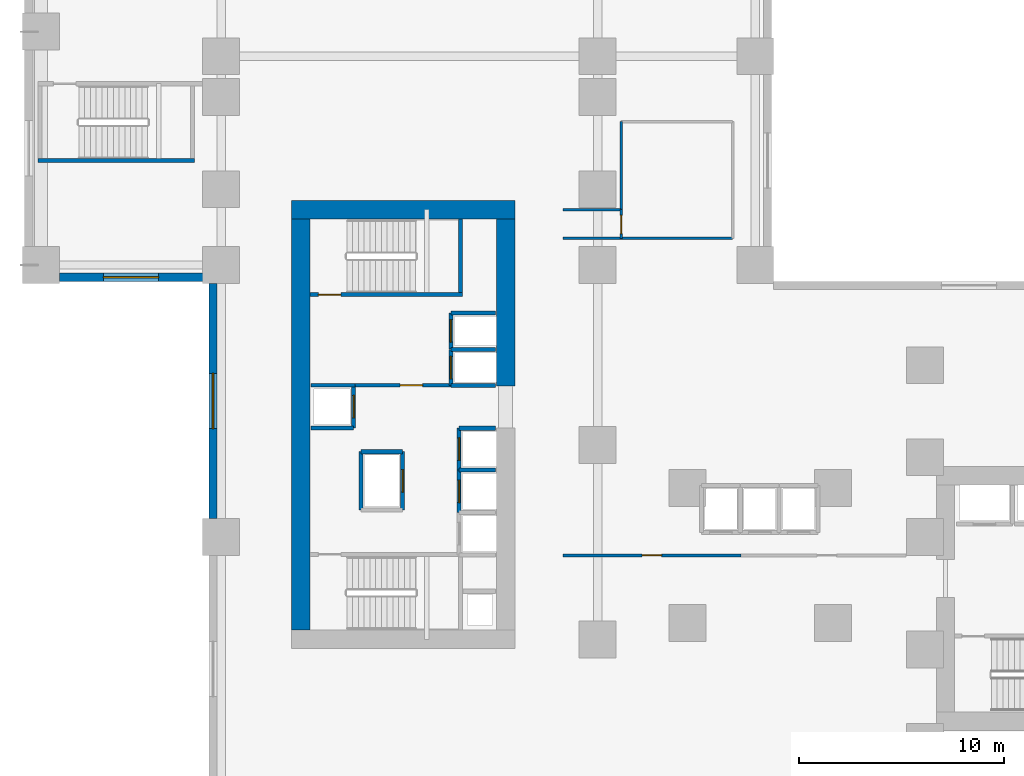
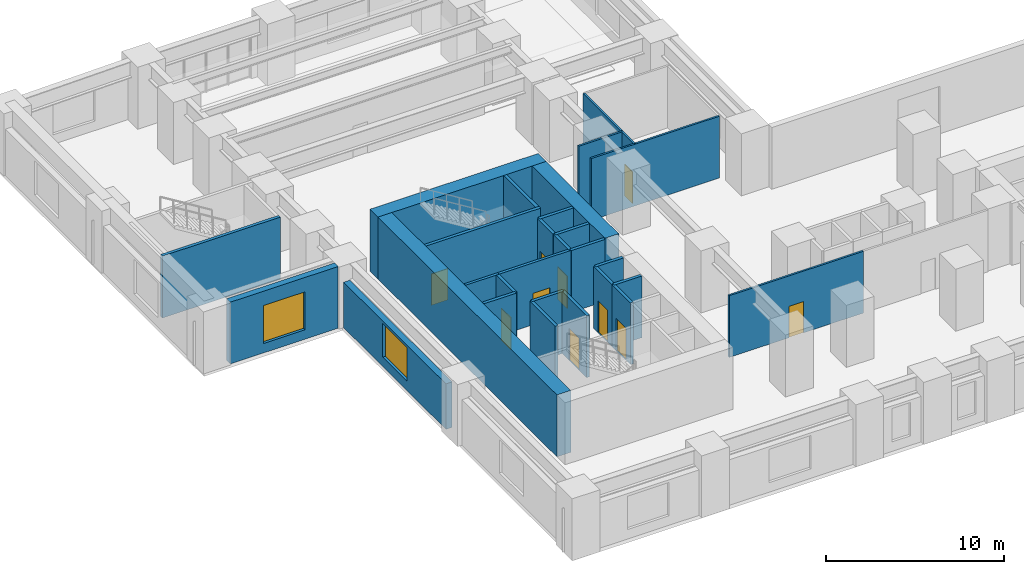
# One storey, part 5 of 11: 29 walls, 10 doors, 2 windows, 12 openings.
"""IFC4 building model written with IfcOpenShell, lengths in metres."""

from ifc_helpers import new_model, si_unit, direction, frame, frame_2d, origin, place, context, subcontext, project, spatial, rectangle, extrude, source, transform, mapped, material, layer, layer_set, type_object, element, fill, save


model = new_model("IFC4")

# Units and contexts
model_context = context("Model", 3, precision=1e-05, world=origin(), true_north=direction((0.0, 1.0)))
body_context = subcontext(model_context, "Body", "Model", "MODEL_VIEW")
ifc_project = project(units=[si_unit("LENGTHUNIT", "METRE"), si_unit("AREAUNIT", "SQUARE_METRE"), si_unit("VOLUMEUNIT", "CUBIC_METRE"), si_unit("PLANEANGLEUNIT", "RADIAN"), si_unit("MASSUNIT", "GRAM", prefix="KILO")], contexts=[model_context])

# Site, building, storey
site_placement = place(None, origin())
site = spatial("IfcSite", under=ifc_project, at=site_placement, CompositionType="ELEMENT")
building_placement = place(site_placement, origin())
building = spatial("IfcBuilding", under=site, at=building_placement, Name="Kharzan Plaza Tower", CompositionType="ELEMENT")
storey_placement = place(building_placement, frame((0.0, 0.0, 9.0)))
storey = spatial("IfcBuildingStorey", under=building, at=storey_placement, Name="L02", CompositionType="ELEMENT", Elevation=9.0)

# Wall, opening, door
ifc_material_1 = material(Name="Concrete C40/50", Category="concrete")
ifc_layer_1 = layer(ifc_material_1, 0.179931640625)
ifc_layer_set_1 = layer_set([ifc_layer_1], Name="Concrete C40/50")
wall_type_1 = type_object("IfcWallType", Name="WL-INT-FIRE-180", PredefinedType="PARTITIONING", material=ifc_layer_set_1)
wall_1_placement = place(storey_placement, frame((7.14990234375, 20.919921875, 0.0), z_axis=(0.0, 0.0, 1.0), x_axis=(1.0, 0.0, 0.0)))
wall_1 = element("IfcWall", 1, at=wall_1_placement, inside=storey, type_object=wall_type_1, Name="L02 Interior Partition CA-FF-S", PredefinedType="PARTITIONING", context=body_context, shape_type="SweptSolid", body=[
    extrude(rectangle(XDim=4.68017578125, YDim=0.179931640625, at=frame_2d((2.340087890625, 0.0))), origin(), (0.0, 0.0, 1.0), 4.235107421875),
])
opening_1_placement = place(wall_1_placement, frame((2.199951171875, 0.0, 0.0)))
opening_1 = element("IfcOpeningElement", 2, at=opening_1_placement, cuts=wall_1, Name="Opening FD1", PredefinedType="OPENING", context=body_context, shape_type="SweptSolid", body=[
    extrude(rectangle(XDim=1.10009765625, YDim=2.14990234375, at=frame_2d((0.550048828125, 1.074951171875))), frame((0.0, 0.099853515625, 0.0), z_axis=(0.0, -1.0, 0.0), x_axis=(1.0, 0.0, 0.0)), (0.0, 0.0, 1.0), 0.199951171875),
])
ifc_material_2 = material(Name="Fire-Rated Acoustic Vision-Panel Steel", Category="steel")
door_type_1 = type_object("IfcDoorType", Name="DR-FIRE-LOBBY", OperationType="NOTDEFINED", PredefinedType="DOOR", material=ifc_material_2)
shared_shape_1 = source(origin(), body_context, "Body", "SweptSolid", [
    extrude(rectangle(XDim=1.10009765625, YDim=2.14990234375, at=frame_2d((0.550048828125, 1.074951171875))), frame((0.0, 0.02490234375, 0.0), z_axis=(0.0, -1.0, 0.0), x_axis=(1.0, 0.0, 0.0)), (0.0, 0.0, 1.0), 0.050048828125),
])
door_1_placement = place(opening_1_placement, origin())
door_1 = element("IfcDoor", 3, at=door_1_placement, inside=storey, type_object=door_type_1, Name="L02 Firefighting Lobby Door", OperationType="SINGLE_SWING_RIGHT", OverallHeight=2.14990234375, OverallWidth=1.10009765625, PredefinedType="DOOR", context=body_context, shape_type="MappedRepresentation", body=[
    mapped(shared_shape_1, transform((0.0, 0.0, 0.0), x_axis=(1.0, 0.0, 0.0), y_axis=(0.0, 1.0, 0.0), z_axis=(0.0, 0.0, 1.0))),
])
fill(opening_1, door_1)

ifc_material_3 = material(Name="Fire-Rated Gypsum Board Partition", Category="gypsum")
ifc_layer_2 = layer(ifc_material_3, 0.125)
ifc_layer_set_2 = layer_set([ifc_layer_2], Name="Fire-Rated Gypsum Board Partition")
wall_type_2 = type_object("IfcWallType", Name="WL-INT-PART-125", PredefinedType="PARTITIONING", material=ifc_layer_set_2)
wall_2_placement = place(storey_placement, frame((17.300048828125, 12.60009765625, 0.0), z_axis=(0.0, 0.0, 1.0), x_axis=(1.0, 0.0, 0.0)))
wall_2 = element("IfcWall", 4, at=wall_2_placement, inside=storey, type_object=wall_type_2, Name="L02 Interior Partition L02-W3A", PredefinedType="PARTITIONING", context=body_context, shape_type="SweptSolid", body=[
    extrude(rectangle(XDim=8.699951171875, YDim=0.125, at=frame_2d((4.35009765625, 0.0))), origin(), (0.0, 0.0, 1.0), 4.235107421875),
])
opening_2_placement = place(wall_2_placement, frame((3.875, 0.0, 0.0)))
opening_2 = element("IfcOpeningElement", 5, at=opening_2_placement, cuts=wall_2, Name="Opening OD1", PredefinedType="OPENING", context=body_context, shape_type="SweptSolid", body=[
    extrude(rectangle(XDim=0.949951171875, YDim=2.14990234375, at=frame_2d((0.47509765625, 1.074951171875))), frame((0.0, 0.072509765625, 0.0), z_axis=(0.0, -1.0, 0.0), x_axis=(1.0, 0.0, 0.0)), (0.0, 0.0, 1.0), 0.14501953125),
])
ifc_material_4 = material(Name="Acoustic Solid-Core Stained Oak", Category="timber")
door_type_2 = type_object("IfcDoorType", Name="DR-OFF-SINGLE", OperationType="NOTDEFINED", PredefinedType="DOOR", material=ifc_material_4)
shared_shape_2 = source(origin(), body_context, "Body", "SweptSolid", [
    extrude(rectangle(XDim=0.949951171875, YDim=2.14990234375, at=frame_2d((0.47509765625, 1.074951171875))), frame((0.0, 0.02490234375, 0.0), z_axis=(0.0, -1.0, 0.0), x_axis=(1.0, 0.0, 0.0)), (0.0, 0.0, 1.0), 0.050048828125),
])
door_2_placement = place(opening_2_placement, origin())
door_2 = element("IfcDoor", 6, at=door_2_placement, inside=storey, type_object=door_type_2, Name="L02 Auditorium Foyer Door", OperationType="SINGLE_SWING_RIGHT", OverallHeight=2.14990234375, OverallWidth=0.949951171875, PredefinedType="DOOR", context=body_context, shape_type="MappedRepresentation", body=[
    mapped(shared_shape_2, transform((0.0, 0.0, 0.0), x_axis=(1.0, 0.0, 0.0), y_axis=(0.0, 1.0, 0.0), z_axis=(0.0, 0.0, 1.0))),
])
fill(opening_2, door_2)

wall_3_placement = place(storey_placement, frame((20.14990234375, 28.10009765625, 0.0), z_axis=(0.0, 0.0, 1.0), x_axis=(0.0, 1.0, 0.0)))
wall_3 = element("IfcWall", 7, at=wall_3_placement, inside=storey, type_object=wall_type_2, Name="L02 Interior Partition L02-WCPW", PredefinedType="PARTITIONING", context=body_context, shape_type="SweptSolid", body=[
    extrude(rectangle(XDim=1.39990234375, YDim=0.125, at=frame_2d((0.699951171875, 0.0))), origin(), (0.0, 0.0, 1.0), 4.235107421875),
])
opening_3_placement = place(wall_3_placement, frame((0.22509765625, 0.0, 0.0)))
opening_3 = element("IfcOpeningElement", 8, at=opening_3_placement, cuts=wall_3, Name="Opening WD1", PredefinedType="OPENING", context=body_context, shape_type="SweptSolid", body=[
    extrude(rectangle(XDim=0.89990234375, YDim=2.14990234375, at=frame_2d((0.449951171875, 1.074951171875))), frame((0.0, 0.072509765625, 0.0), z_axis=(0.0, -1.0, 0.0), x_axis=(1.0, 0.0, 0.0)), (0.0, 0.0, 1.0), 0.14501953125),
])
ifc_material_5 = material(Name="Moisture-Resistant Fire-Rated Laminate", Category="timber")
door_type_3 = type_object("IfcDoorType", Name="DR-WC-900", OperationType="NOTDEFINED", PredefinedType="DOOR", material=ifc_material_5)
shared_shape_3 = source(origin(), body_context, "Body", "SweptSolid", [
    extrude(rectangle(XDim=0.89990234375, YDim=2.14990234375, at=frame_2d((0.449951171875, 1.074951171875))), frame((0.0, 0.02490234375, 0.0), z_axis=(0.0, -1.0, 0.0), x_axis=(1.0, 0.0, 0.0)), (0.0, 0.0, 1.0), 0.050048828125),
])
door_3_placement = place(opening_3_placement, origin())
door_3 = element("IfcDoor", 9, at=door_3_placement, inside=storey, type_object=door_type_3, Name="L02 L02 Washroom Door", OperationType="SINGLE_SWING_LEFT", OverallHeight=2.14990234375, OverallWidth=0.89990234375, PredefinedType="DOOR", context=body_context, shape_type="MappedRepresentation", body=[
    mapped(shared_shape_3, transform((0.0, 0.0, 0.0), x_axis=(1.0, 0.0, 0.0), y_axis=(0.0, 1.0, 0.0), z_axis=(0.0, 0.0, 1.0))),
])
fill(opening_3, door_3)

ifc_layer_3 = layer(ifc_material_1, 0.199951171875)
ifc_layer_set_3 = layer_set([ifc_layer_3], Name="Concrete C40/50")
wall_type_3 = type_object("IfcWallType", Name="WL-INT-SHAFT-200", PredefinedType="PARTITIONING", material=ifc_layer_set_3)
wall_4_placement = place(storey_placement, frame((11.830078125, 20.89990234375, 0.0), z_axis=(0.0, 0.0, 1.0), x_axis=(0.0, 1.0, 0.0)))
wall_4 = element("IfcWall", 10, at=wall_4_placement, inside=storey, type_object=wall_type_3, Name="L02 Interior Partition SHF-FFL-1-W", PredefinedType="PARTITIONING", context=body_context, shape_type="SweptSolid", body=[
    extrude(rectangle(XDim=1.760009765625, YDim=0.199951171875, at=frame_2d((0.8798828125, 0.0))), origin(), (0.0, 0.0, 1.0), 4.235107421875),
])
opening_4_placement = place(wall_4_placement, frame((0.330078125, 0.0, 0.0)))
opening_4 = element("IfcOpeningElement", 11, at=opening_4_placement, cuts=wall_4, Name="Opening LD", PredefinedType="OPENING", context=body_context, shape_type="SweptSolid", body=[
    extrude(rectangle(XDim=1.10009765625, YDim=2.199951171875, at=frame_2d((0.550048828125, 1.10009765625))), frame((0.0, 0.10986328125, 0.0), z_axis=(0.0, -1.0, 0.0), x_axis=(1.0, 0.0, 0.0)), (0.0, 0.0, 1.0), 0.219970703125),
])
ifc_material_6 = material(Name="Brushed Stainless Steel", Category="steel")
door_type_4 = type_object("IfcDoorType", Name="DR-LIFT-SLIDE", OperationType="SLIDING_TO_LEFT", PredefinedType="DOOR", material=ifc_material_6)
shared_shape_4 = source(origin(), body_context, "Body", "SweptSolid", [
    extrude(rectangle(XDim=1.10009765625, YDim=2.199951171875, at=frame_2d((0.550048828125, 1.10009765625))), frame((0.0, 0.02490234375, 0.0), z_axis=(0.0, -1.0, 0.0), x_axis=(1.0, 0.0, 0.0)), (0.0, 0.0, 1.0), 0.050048828125),
])
door_4_placement = place(opening_4_placement, origin())
door_4 = element("IfcDoor", 12, at=door_4_placement, inside=storey, type_object=door_type_4, Name="L02 Firefighting Lift FFL-1 Sliding Landing Door", OperationType="SLIDING_TO_LEFT", OverallHeight=2.199951171875, OverallWidth=1.10009765625, PredefinedType="DOOR", context=body_context, shape_type="MappedRepresentation", body=[
    mapped(shared_shape_4, transform((0.0, 0.0, 0.0), x_axis=(1.0, 0.0, 0.0), y_axis=(0.0, 1.0, 0.0), z_axis=(0.0, 0.0, 1.0))),
])
fill(opening_4, door_4)

wall_5_placement = place(storey_placement, frame((11.830078125, 22.699951171875, 0.0), z_axis=(0.0, 0.0, 1.0), x_axis=(0.0, 1.0, 0.0)))
wall_5 = element("IfcWall", 13, at=wall_5_placement, inside=storey, type_object=wall_type_3, Name="L02 Interior Partition SHF-FFL-2-W", PredefinedType="PARTITIONING", context=body_context, shape_type="SweptSolid", body=[
    extrude(rectangle(XDim=1.760009765625, YDim=0.199951171875, at=frame_2d((0.8798828125, 0.0))), origin(), (0.0, 0.0, 1.0), 4.235107421875),
])
opening_5_placement = place(wall_5_placement, frame((0.330078125, 0.0, 0.0)))
opening_5 = element("IfcOpeningElement", 14, at=opening_5_placement, cuts=wall_5, Name="Opening LD", PredefinedType="OPENING", context=body_context, shape_type="SweptSolid", body=[
    extrude(rectangle(XDim=1.10009765625, YDim=2.199951171875, at=frame_2d((0.550048828125, 1.10009765625))), frame((0.0, 0.10986328125, 0.0), z_axis=(0.0, -1.0, 0.0), x_axis=(1.0, 0.0, 0.0)), (0.0, 0.0, 1.0), 0.219970703125),
])
door_5_placement = place(opening_5_placement, origin())
door_5 = element("IfcDoor", 15, at=door_5_placement, inside=storey, type_object=door_type_4, Name="L02 Firefighting Lift FFL-2 Sliding Landing Door", OperationType="SLIDING_TO_LEFT", OverallHeight=2.199951171875, OverallWidth=1.10009765625, PredefinedType="DOOR", context=body_context, shape_type="MappedRepresentation", body=[
    mapped(shared_shape_4, transform((0.0, 0.0, 0.0), x_axis=(1.0, 0.0, 0.0), y_axis=(0.0, 1.0, 0.0), z_axis=(0.0, 0.0, 1.0))),
])
fill(opening_5, door_5)

wall_6_placement = place(storey_placement, frame((12.22998046875, 14.699951171875, 0.0), z_axis=(0.0, 0.0, 1.0), x_axis=(0.0, 1.0, 0.0)))
wall_6 = element("IfcWall", 16, at=wall_6_placement, inside=storey, type_object=wall_type_3, Name="L02 Interior Partition SHF-PL-H2-W", PredefinedType="PARTITIONING", context=body_context, shape_type="SweptSolid", body=[
    extrude(rectangle(XDim=2.070068359375, YDim=0.199951171875, at=frame_2d((1.03515625, 0.0))), origin(), (0.0, 0.0, 1.0), 4.235107421875),
])
opening_6_placement = place(wall_6_placement, frame((0.485107421875, 0.0, 0.0)))
opening_6 = element("IfcOpeningElement", 17, at=opening_6_placement, cuts=wall_6, Name="Opening LD", PredefinedType="OPENING", context=body_context, shape_type="SweptSolid", body=[
    extrude(rectangle(XDim=1.10009765625, YDim=2.199951171875, at=frame_2d((0.550048828125, 1.10009765625))), frame((0.0, 0.10986328125, 0.0), z_axis=(0.0, -1.0, 0.0), x_axis=(1.0, 0.0, 0.0)), (0.0, 0.0, 1.0), 0.219970703125),
])
door_6_placement = place(opening_6_placement, origin())
door_6 = element("IfcDoor", 18, at=door_6_placement, inside=storey, type_object=door_type_4, Name="L02 High-Rise Passenger Lift PL-H2 Sliding Landing Door", OperationType="SLIDING_TO_LEFT", OverallHeight=2.199951171875, OverallWidth=1.10009765625, PredefinedType="DOOR", context=body_context, shape_type="MappedRepresentation", body=[
    mapped(shared_shape_4, transform((0.0, 0.0, 0.0), x_axis=(1.0, 0.0, 0.0), y_axis=(0.0, 1.0, 0.0), z_axis=(0.0, 0.0, 1.0))),
])
fill(opening_6, door_6)

wall_7_placement = place(storey_placement, frame((12.22998046875, 16.77001953125, 0.0), z_axis=(0.0, 0.0, 1.0), x_axis=(0.0, 1.0, 0.0)))
wall_7 = element("IfcWall", 19, at=wall_7_placement, inside=storey, type_object=wall_type_3, Name="L02 Interior Partition SHF-PL-H3-W", PredefinedType="PARTITIONING", context=body_context, shape_type="SweptSolid", body=[
    extrude(rectangle(XDim=2.050048828125, YDim=0.199951171875, at=frame_2d((1.02490234375, 0.0))), origin(), (0.0, 0.0, 1.0), 4.235107421875),
])
opening_7_placement = place(wall_7_placement, frame((0.47509765625, 0.0, 0.0)))
opening_7 = element("IfcOpeningElement", 20, at=opening_7_placement, cuts=wall_7, Name="Opening LD", PredefinedType="OPENING", context=body_context, shape_type="SweptSolid", body=[
    extrude(rectangle(XDim=1.10009765625, YDim=2.199951171875, at=frame_2d((0.550048828125, 1.10009765625))), frame((0.0, 0.10986328125, 0.0), z_axis=(0.0, -1.0, 0.0), x_axis=(1.0, 0.0, 0.0)), (0.0, 0.0, 1.0), 0.219970703125),
])
door_7_placement = place(opening_7_placement, origin())
door_7 = element("IfcDoor", 21, at=door_7_placement, inside=storey, type_object=door_type_4, Name="L02 High-Rise Passenger Lift PL-H3 Sliding Landing Door", OperationType="SLIDING_TO_LEFT", OverallHeight=2.199951171875, OverallWidth=1.10009765625, PredefinedType="DOOR", context=body_context, shape_type="MappedRepresentation", body=[
    mapped(shared_shape_4, transform((0.0, 0.0, 0.0), x_axis=(1.0, 0.0, 0.0), y_axis=(0.0, 1.0, 0.0), z_axis=(0.0, 0.0, 1.0))),
])
fill(opening_7, door_7)

wall_8_placement = place(storey_placement, frame((7.070068359375, 18.840087890625, 0.0), z_axis=(0.0, 0.0, 1.0), x_axis=(0.0, 1.0, 0.0)))
wall_8 = element("IfcWall", 22, at=wall_8_placement, inside=storey, type_object=wall_type_3, Name="L02 Interior Partition SHF-PL-H4-E", PredefinedType="PARTITIONING", context=body_context, shape_type="SweptSolid", body=[
    extrude(rectangle(XDim=2.059814453125, YDim=0.199951171875, at=frame_2d((1.02978515625, 0.0))), origin(), (0.0, 0.0, 1.0), 4.235107421875),
])
opening_8_placement = place(wall_8_placement, frame((0.47998046875, 0.0, 0.0)))
opening_8 = element("IfcOpeningElement", 23, at=opening_8_placement, cuts=wall_8, Name="Opening LD", PredefinedType="OPENING", context=body_context, shape_type="SweptSolid", body=[
    extrude(rectangle(XDim=1.10009765625, YDim=2.199951171875, at=frame_2d((0.550048828125, 1.10009765625))), frame((0.0, 0.10986328125, 0.0), z_axis=(0.0, -1.0, 0.0), x_axis=(1.0, 0.0, 0.0)), (0.0, 0.0, 1.0), 0.219970703125),
])
door_8_placement = place(opening_8_placement, origin())
door_8 = element("IfcDoor", 24, at=door_8_placement, inside=storey, type_object=door_type_4, Name="L02 High-Rise Passenger Lift PL-H4 Sliding Landing Door", OperationType="SLIDING_TO_LEFT", OverallHeight=2.199951171875, OverallWidth=1.10009765625, PredefinedType="DOOR", context=body_context, shape_type="MappedRepresentation", body=[
    mapped(shared_shape_4, transform((0.0, 0.0, 0.0), x_axis=(1.0, 0.0, 0.0), y_axis=(0.0, 1.0, 0.0), z_axis=(0.0, 0.0, 1.0))),
])
fill(opening_8, door_8)

wall_9_placement = place(storey_placement, frame((9.469970703125, 14.830078125, 0.0), z_axis=(0.0, 0.0, 1.0), x_axis=(0.0, 1.0, 0.0)))
wall_9 = element("IfcWall", 25, at=wall_9_placement, inside=storey, type_object=wall_type_3, Name="L02 Interior Partition SHF-SVL-1-E", PredefinedType="PARTITIONING", context=body_context, shape_type="SweptSolid", body=[
    extrude(rectangle(XDim=2.83984375, YDim=0.199951171875, at=frame_2d((1.419921875, 0.0))), origin(), (0.0, 0.0, 1.0), 4.235107421875),
])
opening_9_placement = place(wall_9_placement, frame((0.8701171875, 0.0, 0.0)))
opening_9 = element("IfcOpeningElement", 26, at=opening_9_placement, cuts=wall_9, Name="Opening LD", PredefinedType="OPENING", context=body_context, shape_type="SweptSolid", body=[
    extrude(rectangle(XDim=1.10009765625, YDim=2.199951171875, at=frame_2d((0.550048828125, 1.10009765625))), frame((0.0, 0.10986328125, 0.0), z_axis=(0.0, -1.0, 0.0), x_axis=(1.0, 0.0, 0.0)), (0.0, 0.0, 1.0), 0.219970703125),
])
door_9_placement = place(opening_9_placement, origin())
door_9 = element("IfcDoor", 27, at=door_9_placement, inside=storey, type_object=door_type_4, Name="L02 Service Lift SVL-1 Sliding Landing Door", OperationType="SLIDING_TO_LEFT", OverallHeight=2.199951171875, OverallWidth=1.10009765625, PredefinedType="DOOR", context=body_context, shape_type="MappedRepresentation", body=[
    mapped(shared_shape_4, transform((0.0, 0.0, 0.0), x_axis=(1.0, 0.0, 0.0), y_axis=(0.0, 1.0, 0.0), z_axis=(0.0, 0.0, 1.0))),
])
fill(opening_9, door_9)

# Wall, opening, window
ifc_layer_4 = layer(ifc_material_1, 0.39990234375)
ifc_layer_set_4 = layer_set([ifc_layer_4], Name="Concrete C40/50")
wall_type_4 = type_object("IfcWallType", Name="WL-POD-MAS-400", PredefinedType="SOLIDWALL", material=ifc_layer_set_4)
wall_10_placement = place(storey_placement, frame((-7.302001953125, 26.199951171875, 0.0), z_axis=(0.0, 0.0, 1.0), x_axis=(1.0, 0.0, 0.0)))
wall_10 = element("IfcWall", 28, at=wall_10_placement, inside=storey, type_object=wall_type_4, Name="L02 Masonry-Frame Exterior Wall 13", PredefinedType="SOLIDWALL", context=body_context, shape_type="SweptSolid", body=[
    extrude(rectangle(XDim=7.00390625, YDim=0.39990234375, at=frame_2d((3.501953125, 0.0))), origin(), (0.0, 0.0, 1.0), 4.235107421875),
])
opening_10_placement = place(wall_10_placement, frame((2.152099609375, 0.0, 0.64990234375)))
opening_10 = element("IfcOpeningElement", 29, at=opening_10_placement, cuts=wall_10, Name="Opening W4", PredefinedType="OPENING", context=body_context, shape_type="SweptSolid", body=[
    extrude(rectangle(XDim=2.699951171875, YDim=2.60009765625, at=frame_2d((1.35009765625, 1.300048828125))), frame((0.0, 0.2099609375, 0.0), z_axis=(0.0, -1.0, 0.0), x_axis=(1.0, 0.0, 0.0)), (0.0, 0.0, 1.0), 0.419921875),
])
ifc_material_7 = material(Name="Low-E Double Glazing", Category="glass")
window_type = type_object("IfcWindowType", Name="WN-POD-2700x2600", PartitioningType="SINGLE_PANEL", PredefinedType="WINDOW", material=ifc_material_7)
shared_shape_5 = source(origin(), body_context, "Body", "SweptSolid", [
    extrude(rectangle(XDim=2.699951171875, YDim=2.60009765625, at=frame_2d((1.35009765625, 1.300048828125))), frame((0.0, 0.030029296875, 0.0), z_axis=(0.0, -1.0, 0.0), x_axis=(1.0, 0.0, 0.0)), (0.0, 0.0, 1.0), 0.06005859375),
])
window_1_placement = place(opening_10_placement, origin())
window_1 = element("IfcWindow", 30, at=window_1_placement, inside=storey, type_object=window_type, Name="L02 Recessed Solar-Control Window 13-1", OverallHeight=2.60009765625, OverallWidth=2.699951171875, PartitioningType="SINGLE_PANEL", PredefinedType="WINDOW", context=body_context, shape_type="MappedRepresentation", body=[
    mapped(shared_shape_5, transform((0.0, 0.0, 0.0), x_axis=(1.0, 0.0, 0.0), y_axis=(0.0, 1.0, 0.0), z_axis=(0.0, 0.0, 1.0))),
])
fill(opening_10, window_1)

wall_11_placement = place(storey_placement, frame((0.199951171875, 25.902099609375, 0.0), z_axis=(0.0, 0.0, 1.0), x_axis=(0.0, -1.0, 0.0)))
wall_11 = element("IfcWall", 31, at=wall_11_placement, inside=storey, type_object=wall_type_4, Name="L02 Masonry-Frame Exterior Wall 14", PredefinedType="SOLIDWALL", context=body_context, shape_type="SweptSolid", body=[
    extrude(rectangle(XDim=11.504150390625, YDim=0.39990234375, at=frame_2d((5.751953125, 0.0))), origin(), (0.0, 0.0, 1.0), 3.116943359375),
])
opening_11_placement = place(wall_11_placement, frame((4.402099609375, 0.0, 0.64990234375)))
opening_11 = element("IfcOpeningElement", 32, at=opening_11_placement, cuts=wall_11, Name="Opening W4", PredefinedType="OPENING", context=body_context, shape_type="SweptSolid", body=[
    extrude(rectangle(XDim=2.699951171875, YDim=2.287109375, at=frame_2d((1.35009765625, 1.1435546875))), frame((0.0, 0.2099609375, 0.0), z_axis=(0.0, -1.0, 0.0), x_axis=(1.0, 0.0, 0.0)), (0.0, 0.0, 1.0), 0.419921875),
])
shared_shape_6 = source(origin(), body_context, "Body", "SweptSolid", [
    extrude(rectangle(XDim=2.699951171875, YDim=2.287109375, at=frame_2d((1.35009765625, 1.1435546875))), frame((0.0, 0.030029296875, 0.0), z_axis=(0.0, -1.0, 0.0), x_axis=(1.0, 0.0, 0.0)), (0.0, 0.0, 1.0), 0.06005859375),
])
window_2_placement = place(opening_11_placement, origin())
window_2 = element("IfcWindow", 33, at=window_2_placement, inside=storey, type_object=window_type, Name="L02 Recessed Solar-Control Window 14-1", OverallHeight=2.287109375, OverallWidth=2.699951171875, PartitioningType="SINGLE_PANEL", PredefinedType="WINDOW", context=body_context, shape_type="MappedRepresentation", body=[
    mapped(shared_shape_6, transform((0.0, 0.0, 0.0), x_axis=(1.0, 0.0, 0.0), y_axis=(0.0, 1.0, 0.0), z_axis=(0.0, 0.0, 1.0))),
])
fill(opening_11, window_2)

# Wall, opening, door
ifc_material_8 = material(Name="Concrete C50/60", Category="concrete")
ifc_layer_5 = layer(ifc_material_8, 0.199951171875)
ifc_layer_set_5 = layer_set([ifc_layer_5], Name="Concrete C50/60")
wall_type_5 = type_object("IfcWallType", Name="WL-SHAFT-RC200", PredefinedType="SHEAR", material=ifc_layer_set_5)
wall_12_placement = place(storey_placement, frame((4.951904296875, 25.344970703125, 0.0), z_axis=(0.0, 0.0, 1.0), x_axis=(1.0, 0.0, 0.0)))
wall_12 = element("IfcWall", 34, at=wall_12_placement, inside=storey, type_object=wall_type_5, Name="L02 Stair ST-2 South RC Shaft Wall", PredefinedType="SHEAR", context=body_context, shape_type="SweptSolid", body=[
    extrude(rectangle(XDim=7.453125, YDim=0.199951171875, at=frame_2d((3.7265625, 0.0))), origin(), (0.0, 0.0, 1.0), 4.25),
])
opening_12_placement = place(wall_12_placement, frame((0.39990234375, 0.0, 0.0)))
opening_12 = element("IfcOpeningElement", 35, at=opening_12_placement, cuts=wall_12, Name="Opening SD1", PredefinedType="OPENING", context=body_context, shape_type="SweptSolid", body=[
    extrude(rectangle(XDim=1.10009765625, YDim=2.14990234375, at=frame_2d((0.550048828125, 1.074951171875))), frame((0.0, 0.10986328125, 0.0), z_axis=(0.0, -1.0, 0.0), x_axis=(1.0, 0.0, 0.0)), (0.0, 0.0, 1.0), 0.219970703125),
])
ifc_material_9 = material(Name="Fire-Rated Hollow Galvanized Steel", Category="steel")
door_type_5 = type_object("IfcDoorType", Name="DR-STAIR-FD120", OperationType="NOTDEFINED", PredefinedType="DOOR", material=ifc_material_9)
shared_shape_7 = source(origin(), body_context, "Body", "SweptSolid", [
    extrude(rectangle(XDim=1.10009765625, YDim=2.14990234375, at=frame_2d((0.550048828125, 1.074951171875))), frame((0.0, 0.02490234375, 0.0), z_axis=(0.0, -1.0, 0.0), x_axis=(1.0, 0.0, 0.0)), (0.0, 0.0, 1.0), 0.050048828125),
])
door_10_placement = place(opening_12_placement, origin())
door_10 = element("IfcDoor", 36, at=door_10_placement, inside=storey, type_object=door_type_5, Name="L02 Stair ST-2 Fire Exit Door", OperationType="SINGLE_SWING_LEFT", OverallHeight=2.14990234375, OverallWidth=1.10009765625, PredefinedType="DOOR", context=body_context, shape_type="MappedRepresentation", body=[
    mapped(shared_shape_7, transform((0.0, 0.0, 0.0), x_axis=(1.0, 0.0, 0.0), y_axis=(0.0, 1.0, 0.0), z_axis=(0.0, 0.0, 1.0))),
])
fill(opening_12, door_10)

# Walls
ifc_material_10 = material(Name="Concrete C60/75", Category="concrete")
ifc_layer_6 = layer(ifc_material_10, 0.89990234375)
ifc_layer_set_6 = layer_set([ifc_layer_6], Name="Concrete C60/75")
wall_type_6 = type_object("IfcWallType", Name="WL-CORE-900", PredefinedType="SHEAR", material=ifc_layer_set_6)
shared_shape_8 = source(origin(), body_context, "Body", "SweptSolid", [
    extrude(rectangle(XDim=8.170166015625, YDim=0.89990234375, at=frame_2d((4.0849609375, 0.0))), origin(), (0.0, 0.0, 1.0), 4.25),
])
wall_13_placement = place(storey_placement, frame((14.5, 20.8798828125, 0.0), z_axis=(0.0, 0.0, 1.0), x_axis=(0.0, 1.0, 0.0)))
element("IfcWall", 37, at=wall_13_placement, inside=storey, type_object=wall_type_6, Name="L02 CORE-A east shear pier 2", PredefinedType="SHEAR", context=body_context, shape_type="MappedRepresentation", body=[
    mapped(shared_shape_8, transform((0.0, 0.0, 0.0), x_axis=(1.0, 0.0, 0.0), y_axis=(0.0, 1.0, 0.0), z_axis=(0.0, 0.0, 1.0))),
])
shared_shape_9 = source(origin(), body_context, "Body", "SweptSolid", [
    extrude(rectangle(XDim=10.89990234375, YDim=0.89990234375, at=frame_2d((5.449951171875, 0.0))), origin(), (0.0, 0.0, 1.0), 4.25),
])
wall_14_placement = place(storey_placement, frame((4.050048828125, 29.5, 0.0), z_axis=(0.0, 0.0, 1.0), x_axis=(1.0, 0.0, 0.0)))
element("IfcWall", 38, at=wall_14_placement, inside=storey, type_object=wall_type_6, Name="L02 CORE-A north RC shear wall", PredefinedType="SHEAR", context=body_context, shape_type="MappedRepresentation", body=[
    mapped(shared_shape_9, transform((0.0, 0.0, 0.0), x_axis=(1.0, 0.0, 0.0), y_axis=(0.0, 1.0, 0.0), z_axis=(0.0, 0.0, 1.0))),
])
shared_shape_10 = source(origin(), body_context, "Body", "SweptSolid", [
    extrude(rectangle(XDim=2.169921875, YDim=0.179931640625, at=frame_2d((1.0849609375, 0.0))), origin(), (0.0, 0.0, 1.0), 4.235107421875),
])
wall_15_placement = place(storey_placement, frame((4.97998046875, 20.919921875, 0.0), z_axis=(0.0, 0.0, 1.0), x_axis=(1.0, 0.0, 0.0)))
element("IfcWall", 39, at=wall_15_placement, inside=storey, type_object=wall_type_1, Name="L02 Interior Partition CA-FF-SW", PredefinedType="PARTITIONING", context=body_context, shape_type="MappedRepresentation", body=[
    mapped(shared_shape_10, transform((0.0, 0.0, 0.0), x_axis=(1.0, 0.0, 0.0), y_axis=(0.0, 1.0, 0.0), z_axis=(0.0, 0.0, 1.0))),
])
shared_shape_11 = source(origin(), body_context, "Body", "SweptSolid", [
    extrude(rectangle(XDim=2.849853515625, YDim=0.125, at=frame_2d((1.4248046875, 0.0))), origin(), (0.0, 0.0, 1.0), 4.235107421875),
])
wall_16_placement = place(storey_placement, frame((17.300048828125, 29.5, 0.0), z_axis=(0.0, 0.0, 1.0), x_axis=(1.0, 0.0, 0.0)))
element("IfcWall", 40, at=wall_16_placement, inside=storey, type_object=wall_type_2, Name="L02 Interior Partition L02-WCPN1", PredefinedType="PARTITIONING", context=body_context, shape_type="MappedRepresentation", body=[
    mapped(shared_shape_11, transform((0.0, 0.0, 0.0), x_axis=(1.0, 0.0, 0.0), y_axis=(0.0, 1.0, 0.0), z_axis=(0.0, 0.0, 1.0))),
])
shared_shape_12 = source(origin(), body_context, "Body", "SweptSolid", [
    extrude(rectangle(XDim=8.300048828125, YDim=0.125, at=frame_2d((4.14990234375, 0.0))), origin(), (0.0, 0.0, 1.0), 4.235107421875),
])
wall_17_placement = place(storey_placement, frame((17.300048828125, 28.10009765625, 0.0), z_axis=(0.0, 0.0, 1.0), x_axis=(1.0, 0.0, 0.0)))
element("IfcWall", 41, at=wall_17_placement, inside=storey, type_object=wall_type_2, Name="L02 Interior Partition L02-WCPS", PredefinedType="PARTITIONING", context=body_context, shape_type="MappedRepresentation", body=[
    mapped(shared_shape_12, transform((0.0, 0.0, 0.0), x_axis=(1.0, 0.0, 0.0), y_axis=(0.0, 1.0, 0.0), z_axis=(0.0, 0.0, 1.0))),
])
shared_shape_13 = source(origin(), body_context, "Body", "SweptSolid", [
    extrude(rectangle(XDim=4.300048828125, YDim=0.125, at=frame_2d((2.14990234375, 0.0))), origin(), (0.0, 0.0, 1.0), 4.235107421875),
])
wall_18_placement = place(storey_placement, frame((20.14990234375, 29.5, 0.0), z_axis=(0.0, 0.0, 1.0), x_axis=(0.0, 1.0, 0.0)))
element("IfcWall", 42, at=wall_18_placement, inside=storey, type_object=wall_type_2, Name="L02 Interior Partition L02-WCPV1", PredefinedType="PARTITIONING", context=body_context, shape_type="MappedRepresentation", body=[
    mapped(shared_shape_13, transform((0.0, 0.0, 0.0), x_axis=(1.0, 0.0, 0.0), y_axis=(0.0, 1.0, 0.0), z_axis=(0.0, 0.0, 1.0))),
])
shared_shape_14 = source(origin(), body_context, "Body", "SweptSolid", [
    extrude(rectangle(XDim=2.18994140625, YDim=0.199951171875, at=frame_2d((1.094970703125, 0.0))), origin(), (0.0, 0.0, 1.0), 4.235107421875),
])
for number, where, z_axis, x_axis, name in (
    (43, (11.830078125, 22.659912109375, 0.0), (0.0, 0.0, 1.0), (1.0, 0.0, 0.0), "L02 Interior Partition SHF-FFL-1-N"),
    (44, (11.830078125, 20.89990234375, 0.0), (0.0, 0.0, 1.0), (1.0, 0.0, 0.0), "L02 Interior Partition SHF-FFL-1-S"),
    (45, (11.830078125, 24.4599609375, 0.0), (0.0, 0.0, 1.0), (1.0, 0.0, 0.0), "L02 Interior Partition SHF-FFL-2-N"),
):
    element("IfcWall", number, at=place(storey_placement, frame(where, z_axis=z_axis, x_axis=x_axis)), inside=storey, type_object=wall_type_3, Name=name, PredefinedType="PARTITIONING", context=body_context, shape_type="MappedRepresentation", body=[
        mapped(shared_shape_14, transform((0.0, 0.0, 0.0), x_axis=(1.0, 0.0, 0.0), y_axis=(0.0, 1.0, 0.0), z_axis=(0.0, 0.0, 1.0))),
    ])
shared_shape_15 = source(origin(), body_context, "Body", "SweptSolid", [
    extrude(rectangle(XDim=1.7900390625, YDim=0.199951171875, at=frame_2d((0.89501953125, 0.0))), origin(), (0.0, 0.0, 1.0), 4.235107421875),
])
for number, where, z_axis, x_axis, name in (
    (46, (12.22998046875, 16.77001953125, 0.0), (0.0, 0.0, 1.0), (1.0, 0.0, 0.0), "L02 Interior Partition SHF-PL-H2-N"),
    (47, (12.22998046875, 18.820068359375, 0.0), (0.0, 0.0, 1.0), (1.0, 0.0, 0.0), "L02 Interior Partition SHF-PL-H3-N"),
):
    element("IfcWall", number, at=place(storey_placement, frame(where, z_axis=z_axis, x_axis=x_axis)), inside=storey, type_object=wall_type_3, Name=name, PredefinedType="PARTITIONING", context=body_context, shape_type="MappedRepresentation", body=[
        mapped(shared_shape_15, transform((0.0, 0.0, 0.0), x_axis=(1.0, 0.0, 0.0), y_axis=(0.0, 1.0, 0.0), z_axis=(0.0, 0.0, 1.0))),
    ])
shared_shape_16 = source(origin(), body_context, "Body", "SweptSolid", [
    extrude(rectangle(XDim=2.090087890625, YDim=0.199951171875, at=frame_2d((1.044921875, 0.0))), origin(), (0.0, 0.0, 1.0), 4.235107421875),
])
wall_19_placement = place(storey_placement, frame((4.97998046875, 18.840087890625, 0.0), z_axis=(0.0, 0.0, 1.0), x_axis=(1.0, 0.0, 0.0)))
element("IfcWall", 48, at=wall_19_placement, inside=storey, type_object=wall_type_3, Name="L02 Interior Partition SHF-PL-H4-S", PredefinedType="PARTITIONING", context=body_context, shape_type="MappedRepresentation", body=[
    mapped(shared_shape_16, transform((0.0, 0.0, 0.0), x_axis=(1.0, 0.0, 0.0), y_axis=(0.0, 1.0, 0.0), z_axis=(0.0, 0.0, 1.0))),
])
shared_shape_17 = source(origin(), body_context, "Body", "SweptSolid", [
    extrude(rectangle(XDim=2.0400390625, YDim=0.199951171875, at=frame_2d((1.02001953125, 0.0))), origin(), (0.0, 0.0, 1.0), 4.235107421875),
])
wall_20_placement = place(storey_placement, frame((7.429931640625, 17.669921875, 0.0), z_axis=(0.0, 0.0, 1.0), x_axis=(1.0, 0.0, 0.0)))
element("IfcWall", 49, at=wall_20_placement, inside=storey, type_object=wall_type_3, Name="L02 Interior Partition SHF-SVL-1-N", PredefinedType="PARTITIONING", context=body_context, shape_type="MappedRepresentation", body=[
    mapped(shared_shape_17, transform((0.0, 0.0, 0.0), x_axis=(1.0, 0.0, 0.0), y_axis=(0.0, 1.0, 0.0), z_axis=(0.0, 0.0, 1.0))),
])
shared_shape_18 = source(origin(), body_context, "Body", "SweptSolid", [
    extrude(rectangle(XDim=2.83984375, YDim=0.199951171875, at=frame_2d((1.419921875, 0.0))), origin(), (0.0, 0.0, 1.0), 4.235107421875),
])
wall_21_placement = place(storey_placement, frame((7.429931640625, 14.830078125, 0.0), z_axis=(0.0, 0.0, 1.0), x_axis=(0.0, 1.0, 0.0)))
element("IfcWall", 50, at=wall_21_placement, inside=storey, type_object=wall_type_3, Name="L02 Interior Partition SHF-SVL-1-W", PredefinedType="PARTITIONING", context=body_context, shape_type="MappedRepresentation", body=[
    mapped(shared_shape_18, transform((0.0, 0.0, 0.0), x_axis=(1.0, 0.0, 0.0), y_axis=(0.0, 1.0, 0.0), z_axis=(0.0, 0.0, 1.0))),
])
shared_shape_19 = source(origin(), body_context, "Body", "SweptSolid", [
    extrude(rectangle(XDim=3.60302734375, YDim=0.199951171875, at=frame_2d((1.801513671875, 0.0))), origin(), (0.0, 0.0, 1.0), 4.25),
])
wall_22_placement = place(storey_placement, frame((12.304931640625, 25.445068359375, 0.0), z_axis=(0.0, 0.0, 1.0), x_axis=(0.0, 1.0, 0.0)))
element("IfcWall", 51, at=wall_22_placement, inside=storey, type_object=wall_type_5, Name="L02 Stair ST-2 East RC Shaft Wall", PredefinedType="SHEAR", context=body_context, shape_type="MappedRepresentation", body=[
    mapped(shared_shape_19, transform((0.0, 0.0, 0.0), x_axis=(1.0, 0.0, 0.0), y_axis=(0.0, 1.0, 0.0), z_axis=(0.0, 0.0, 1.0))),
])
shared_shape_20 = source(origin(), body_context, "Body", "SweptSolid", [
    extrude(rectangle(XDim=7.655029296875, YDim=0.199951171875, at=frame_2d((3.82763671875, 0.0))), origin(), (0.0, 0.0, 1.0), 4.25),
])
wall_23_placement = place(storey_placement, frame((-8.35009765625, 31.89501953125, 0.0), z_axis=(0.0, 0.0, 1.0), x_axis=(1.0, 0.0, 0.0)))
element("IfcWall", 52, at=wall_23_placement, inside=storey, type_object=wall_type_5, Name="L02 Stair ST-4 South RC Shaft Wall", PredefinedType="SHEAR", context=body_context, shape_type="MappedRepresentation", body=[
    mapped(shared_shape_20, transform((0.0, 0.0, 0.0), x_axis=(1.0, 0.0, 0.0), y_axis=(0.0, 1.0, 0.0), z_axis=(0.0, 0.0, 1.0))),
])
shared_shape_21 = source(origin(), body_context, "Body", "SweptSolid", [
    extrude(rectangle(XDim=20.10009765625, YDim=0.89990234375, at=frame_2d((10.050048828125, 0.0))), origin(), (0.0, 0.0, 1.0), 4.25),
])
wall_24_placement = place(storey_placement, frame((4.5, 8.949951171875, 0.0), z_axis=(0.0, 0.0, 1.0), x_axis=(0.0, 1.0, 0.0)))
element("IfcWall", 53, at=wall_24_placement, inside=storey, type_object=wall_type_6, Name="L02 CORE-A west RC shear wall", PredefinedType="SHEAR", context=body_context, shape_type="MappedRepresentation", body=[
    mapped(shared_shape_21, transform((0.0, 0.0, 0.0), x_axis=(1.0, 0.0, 0.0), y_axis=(0.0, 1.0, 0.0), z_axis=(0.0, 0.0, 1.0))),
])

save(model, "model.ifc")
